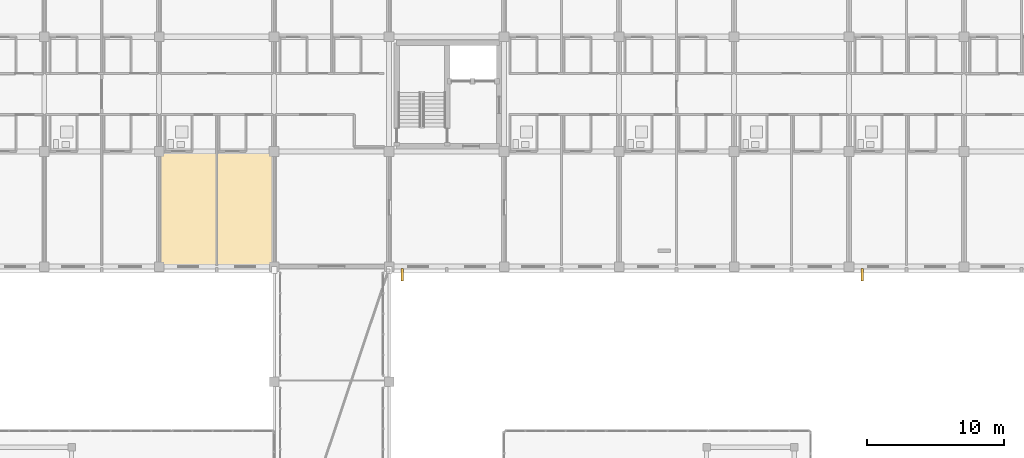
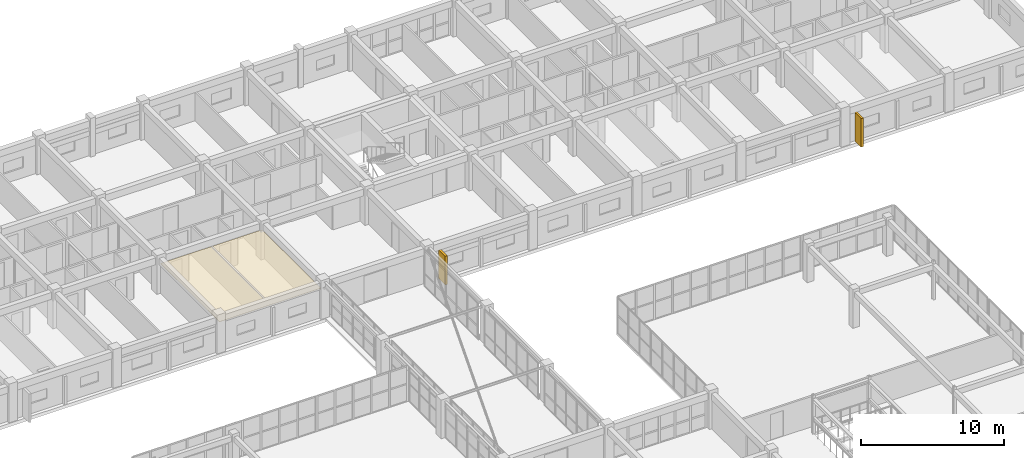
# One storey, part 145 of 148: 2 shading devices, 1 covering.
"""IFC4 building model written with IfcOpenShell, lengths in metres."""

from ifc_helpers import new_model, si_unit, direction, frame, origin, origin_2d, place, context, subcontext, project, spatial, polyline, rectangle, outline, extrude, material, layer, layer_set, type_object, element, save


model = new_model("IFC4")

# Units and contexts
model_context = context("Model", 3, precision=1e-05, world=origin(), true_north=direction((0.0, 1.0)))
body_context = subcontext(model_context, "Body", "Model", "MODEL_VIEW")
ifc_project = project(units=[si_unit("LENGTHUNIT", "METRE"), si_unit("AREAUNIT", "SQUARE_METRE"), si_unit("VOLUMEUNIT", "CUBIC_METRE"), si_unit("PLANEANGLEUNIT", "RADIAN"), si_unit("MASSUNIT", "GRAM", prefix="KILO")], contexts=[model_context])

# Site, building, storey
site_placement = place(None, origin())
site = spatial("IfcSite", under=ifc_project, at=site_placement, CompositionType="ELEMENT")
building_placement = place(site_placement, origin())
building = spatial("IfcBuilding", under=site, at=building_placement, Name="Trelvath General Hospital", CompositionType="ELEMENT")
storey_placement = place(building_placement, frame((0.0, 0.0, 12.89990234375)))
storey = spatial("IfcBuildingStorey", under=building, at=storey_placement, Name="L03", CompositionType="ELEMENT", Elevation=12.89990234375)

# Shading devices
ifc_material_1 = material(Name="Precast concrete C40/50", Category="concrete")
shading_device_type = type_object("IfcShadingDeviceType", Name="BriseSoleil PrecastFin900", PredefinedType="JALOUSIE", material=ifc_material_1)
for number, where, z_axis, x_axis, name in (
    (1, (84.9619140625, 91.81005859375, 0.000244140625), (0.0, 0.0, 1.0), (0.0, -1.0, 0.0), "Solar Brise-Soleil Screen L03-64"),
    (2, (118.561767578125, 91.81005859375, 0.000244140625), (0.0, 0.0, 1.0), (0.0, -1.0, 0.0), "Solar Brise-Soleil Screen L03-67"),
):
    element("IfcShadingDevice", number, at=place(storey_placement, frame(where, z_axis=z_axis, x_axis=x_axis)), inside=storey, type_object=shading_device_type, Name=name, PredefinedType="JALOUSIE", context=body_context, shape_type="SweptSolid", body=[
        extrude(rectangle(XDim=0.89990234375, YDim=0.179931640625, at=origin_2d()), origin(), (0.0, 0.0, 1.0), 2.43994140625),
    ])

# Covering
ifc_material_2 = material(Name="Hygienic acoustic ceiling tile")
ifc_layer = layer(ifc_material_2, 0.02490234375)
ifc_layer_set = layer_set([ifc_layer], Name="Hygienic acoustic ceiling tile")
covering_type = type_object("IfcCoveringType", Name="Ceiling ClinicalAcoustic", PredefinedType="CEILING", material=ifc_layer_set)
covering_placement = place(storey_placement, frame((0.0, 0.0, 2.300048828125)))
element("IfcCovering", 3, at=covering_placement, inside=storey, type_object=covering_type, Name="Clinical Acoustic Ceiling L03-46", PredefinedType="CEILING", context=body_context, shape_type="SweptSolid", body=[
    extrude(outline(polyline([(67.300048828125, 92.5), (75.5, 92.5), (75.5, 100.719970703125), (67.300048828125, 100.719970703125), (67.300048828125, 92.5)])), origin(), (0.0, 0.0, 1.0), 0.025146484375),
])

save(model, "model.ifc")
